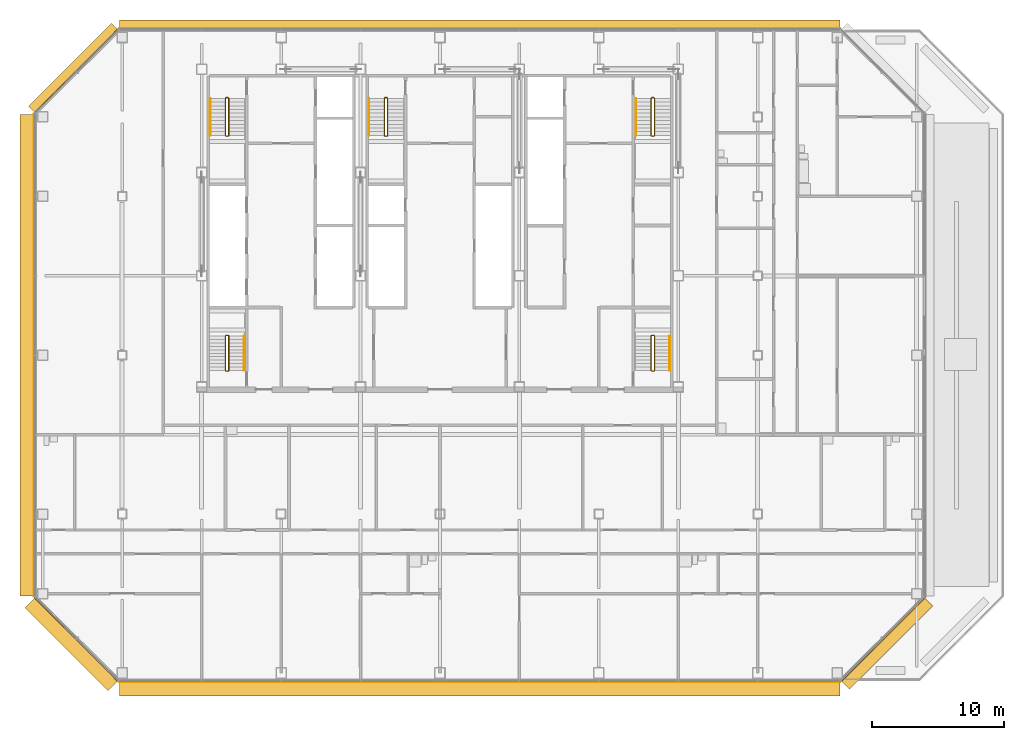
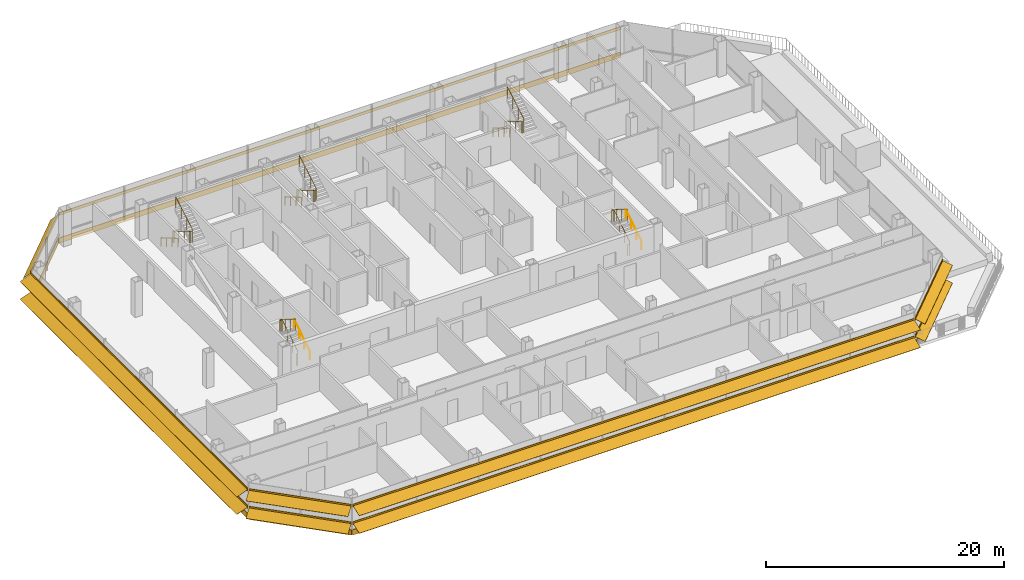
# One storey, part 25 of 28: 10 railings, 6 coverings, 6 shading devices.
"""IFC4 building model written with IfcOpenShell, lengths in metres."""

import ifcopenshell
import ifcopenshell.guid

model = None  # the IFC model being written
_history = None  # IfcOwnerHistory: only IFC2X3 demands one
_inside = {}  # id of a spatial element -> (the spatial element, [elements in it])
_under = {}  # id of a project, library or spatial element -> (it, [spatial elements below it])
_declared = {}  # id of a project -> (the project, [libraries it declares])
_typed = {}  # id of a type object -> (the type object, [elements of that type])
_made_of = {}  # id of a material, layer set ... -> (it, [elements and type objects made of it])


def new_model(schema):
    """Start an empty IFC model of exactly this schema.

    Asked for "IFC4X3", IfcOpenShell would pick the latest addendum, in which some entities
    have other attributes; the version numbers below select the first issue.
    IFC2X3 requires an IfcOwnerHistory on every rooted entity: one is made here for all.
    """
    global model, _history
    if schema == "IFC4X3":
        model = ifcopenshell.file(schema_version=(4, 3, 0, 0))
    else:
        model = ifcopenshell.file(schema=schema)
    _inside.clear()
    _under.clear()
    _declared.clear()
    _typed.clear()
    _made_of.clear()
    _history = None
    if model.schema == "IFC2X3":
        org = make("IfcOrganization", Name="unknown")
        user = make(
            "IfcPersonAndOrganization",
            ThePerson=make("IfcPerson", FamilyName="unknown"),
            TheOrganization=org,
        )
        app = make(
            "IfcApplication",
            ApplicationDeveloper=org,
            Version="unknown",
            ApplicationFullName="unknown",
            ApplicationIdentifier="unknown",
        )
        _history = make(
            "IfcOwnerHistory",
            OwningUser=user,
            OwningApplication=app,
            ChangeAction="ADDED",
            CreationDate=0,
        )
    return model


def make(cls, **values):
    """One entity of the class cls with the attributes given. An attribute that is None is left unset."""
    return model.create_entity(
        cls, **{name: value for name, value in values.items() if value is not None}
    )


def rooted(cls, **values):
    """An entity with a GlobalId (a new one), such as an element, a storey or a relation."""
    return make(cls, GlobalId=ifcopenshell.guid.new(), OwnerHistory=_history, **values)


def si_unit(unit_type, name, prefix=None):
    """IfcSIUnit, for example si_unit("LENGTHUNIT", "METRE", prefix="MILLI")."""
    return make("IfcSIUnit", UnitType=unit_type, Prefix=prefix, Name=name)


def assignment(units):
    """IfcUnitAssignment: the units of a project."""
    return None if units is None else make("IfcUnitAssignment", Units=units)


def point(xyz):
    """IfcCartesianPoint."""
    return None if xyz is None else make("IfcCartesianPoint", Coordinates=xyz)


def direction(xyz):
    """IfcDirection."""
    return None if xyz is None else make("IfcDirection", DirectionRatios=xyz)


def frame(location, z_axis=None, x_axis=None):
    """IfcAxis2Placement3D, a coordinate frame: its origin and axes. An axis left out is left unset."""
    return make(
        "IfcAxis2Placement3D",
        Location=point(location),
        Axis=direction(z_axis),
        RefDirection=direction(x_axis),
    )


def frame_2d(location, x_axis=None):
    """IfcAxis2Placement2D, a coordinate frame in the plane: its origin and x axis."""
    return make(
        "IfcAxis2Placement2D", Location=point(location), RefDirection=direction(x_axis)
    )


def origin():
    """The frame at (0, 0, 0) with its axes left unset."""
    return frame((0.0, 0.0, 0.0))


def origin_2d():
    """The frame at (0, 0) in the plane with its x axis left unset."""
    return frame_2d((0.0, 0.0))


def place(relative_to, where):
    """IfcLocalPlacement: puts the frame where relative to a parent placement (None: the world)."""
    return make(
        "IfcLocalPlacement", PlacementRelTo=relative_to, RelativePlacement=where
    )


def context(
    kind, dimensions, precision=None, world=None, true_north=None, identifier=None
):
    """IfcGeometricRepresentationContext, for example the 3D "Model" context."""
    return make(
        "IfcGeometricRepresentationContext",
        ContextIdentifier=identifier,
        ContextType=kind,
        CoordinateSpaceDimension=dimensions,
        Precision=precision,
        WorldCoordinateSystem=world,
        TrueNorth=true_north,
    )


def subcontext(parent, identifier, kind, view, scale=None):
    """IfcGeometricRepresentationSubContext, for example "Body" below "Model"."""
    return make(
        "IfcGeometricRepresentationSubContext",
        ContextIdentifier=identifier,
        ContextType=kind,
        ParentContext=parent,
        TargetScale=scale,
        TargetView=view,
    )


def project(units=None, contexts=None):
    """IfcProject with its units and contexts."""
    return rooted(
        "IfcProject",
        Name="project",
        RepresentationContexts=contexts,
        UnitsInContext=assignment(units),
    )


def spatial(cls, under=None, at=None, **own):
    """A site, building, storey or space (cls), placed at a placement, below another one or the project."""
    s = rooted(cls, ObjectPlacement=at, **own)
    if under is not None:
        _under.setdefault(under.id(), (under, []))[1].append(s)
    return s


def polyline(points):
    """IfcPolyline through the points."""
    return make("IfcPolyline", Points=[point(p) for p in points])


def profile(cls, at=None, kind="AREA", **sizes):
    """A parametric profile (cls). Its sizes go by their IFC names, for example OverallWidth=200.0."""
    return make(cls, ProfileType=kind, Position=at, **sizes)


def circle(**sizes):
    """IfcCircleProfileDef."""
    return profile("IfcCircleProfileDef", **sizes)


def outline(outer, holes=None, kind="AREA"):
    """IfcArbitraryClosedProfileDef: a profile drawn as a closed curve; with holes, ...WithVoids."""
    if holes is None:
        return make("IfcArbitraryClosedProfileDef", ProfileType=kind, OuterCurve=outer)
    return make(
        "IfcArbitraryProfileDefWithVoids",
        ProfileType=kind,
        OuterCurve=outer,
        InnerCurves=holes,
    )


def composite_profile(profiles, kind="AREA"):
    """IfcCompositeProfileDef: several profiles as one."""
    return make("IfcCompositeProfileDef", ProfileType=kind, Profiles=profiles)


def extrude(swept, where, along, depth):
    """IfcExtrudedAreaSolid: the profile swept, set in the frame where, extruded along a direction by depth."""
    return make(
        "IfcExtrudedAreaSolid",
        SweptArea=swept,
        Position=where,
        ExtrudedDirection=direction(along),
        Depth=depth,
    )


def shape(context_of_items, identifier, shape_type, items):
    """IfcShapeRepresentation: the items that make up one representation, for example the "Body"."""
    return make(
        "IfcShapeRepresentation",
        ContextOfItems=context_of_items,
        RepresentationIdentifier=identifier,
        RepresentationType=shape_type,
        Items=items,
    )


def material(Name=None, Category=None):
    """IfcMaterial."""
    return make("IfcMaterial", Name=Name, Category=Category)


def layer(
    of_material, thickness, ventilated=None, Name=None, Category=None, Priority=None
):
    """IfcMaterialLayer: one layer of a wall or slab, of a material (None: an air gap)."""
    return make(
        "IfcMaterialLayer",
        Material=of_material,
        LayerThickness=thickness,
        IsVentilated=ventilated,
        Name=Name,
        Category=Category,
        Priority=Priority,
    )


def layer_set(layers, Name=None):
    """IfcMaterialLayerSet."""
    return make("IfcMaterialLayerSet", MaterialLayers=layers, LayerSetName=Name)


def made_of(thing, what):
    """Note that an element or type object is made of a material, layer set ...; save() writes the relation."""
    if what is not None:
        _made_of.setdefault(what.id(), (what, []))[1].append(thing)
    return thing


def type_object(cls, material=None, **own):
    """A type object (cls), such as IfcWallType, which elements share."""
    return made_of(rooted(cls, **own), material)


def element(
    cls,
    number,
    at=None,
    inside=None,
    cuts=None,
    type_object=None,
    material=None,
    context=None,
    identifier="Body",
    shape_type=None,
    held_by="IfcProductDefinitionShape",
    body=None,
    shapes=None,
    **own,
):
    """One element of the class cls, such as IfcWall. Its Tag is "e" and its number.

    at: its placement. inside: the storey or other place that contains it. cuts: it is an
    opening in that element (IfcRelVoidsElement). A single representation is given by context,
    identifier, shape_type and body (its items); several are given by shapes. held_by: the class
    of the entity that holds the representations. save() writes the other relations.
    """
    e = rooted(cls, Tag="e%d" % number, ObjectPlacement=at, **own)
    if body is not None:
        shapes = [shape(context, identifier, shape_type, body)]
    if shapes is not None:
        e.Representation = make(held_by, Representations=shapes)
    if inside is not None:
        _inside.setdefault(inside.id(), (inside, []))[1].append(e)
    if cuts is not None:
        rooted(
            "IfcRelVoidsElement", RelatingBuildingElement=cuts, RelatedOpeningElement=e
        )
    if type_object is not None:
        _typed.setdefault(type_object.id(), (type_object, []))[1].append(e)
    return made_of(e, material)


def aggregate(whole, parts):
    """IfcRelAggregates: a whole, such as a stair, and the parts it consists of."""
    return rooted("IfcRelAggregates", RelatingObject=whole, RelatedObjects=parts)


def save(model, path):
    """Write the relations noted so far, then the file.

    IfcRelAggregates (storeys below a building ...), IfcRelContainedInSpatialStructure (elements
    in a storey), IfcRelDefinesByType, IfcRelAssociatesMaterial and IfcRelDeclares: one each for
    every whole, place, type object, material and project.
    """
    for whole, parts in _under.values():
        aggregate(whole, parts)
    for where, things in _inside.values():
        rooted(
            "IfcRelContainedInSpatialStructure",
            RelatedElements=things,
            RelatingStructure=where,
        )
    for kind, things in _typed.values():
        rooted("IfcRelDefinesByType", RelatedObjects=things, RelatingType=kind)
    for what, things in _made_of.values():
        rooted("IfcRelAssociatesMaterial", RelatedObjects=things, RelatingMaterial=what)
    for by, libraries in _declared.values():
        rooted("IfcRelDeclares", RelatingContext=by, RelatedDefinitions=libraries)
    model.write(path)


model = new_model("IFC4")

# Units and contexts
model_context = context("Model", 3, precision=1e-05, world=origin(), true_north=direction((0.0, 1.0)))
body_context = subcontext(model_context, "Body", "Model", "MODEL_VIEW")
ifc_project = project(units=[si_unit("LENGTHUNIT", "METRE"), si_unit("AREAUNIT", "SQUARE_METRE"), si_unit("VOLUMEUNIT", "CUBIC_METRE"), si_unit("PLANEANGLEUNIT", "RADIAN"), si_unit("MASSUNIT", "GRAM", prefix="KILO")], contexts=[model_context])

# Site, building, storey
site_placement = place(None, origin())
site = spatial("IfcSite", under=ifc_project, at=site_placement, CompositionType="ELEMENT")
building_placement = place(site_placement, origin())
building = spatial("IfcBuilding", under=site, at=building_placement, Name="Sorahane Residences", CompositionType="ELEMENT")
storey_placement = place(building_placement, frame((0.0, 0.0, 96.199951171875)))
storey = spatial("IfcBuildingStorey", under=building, at=storey_placement, Name="L20", CompositionType="ELEMENT", Elevation=96.199951171875)

# Shading devices
ifc_material_1 = material(Name="Terracotta anodised aluminium", Category="masonry")
shading_device_type_1 = type_object("IfcShadingDeviceType", Name="Louvre sunshade blade N terracotta aluminium 700", PredefinedType="JALOUSIE", material=ifc_material_1)
shading_device_1_placement = place(storey_placement, frame((54.198486328125, 48.60009765625, 2.699951171875), z_axis=(-1.0, 0.0, 0.0), x_axis=(0.0, -1.0, 0.0)))
element("IfcShadingDevice", 1, at=shading_device_1_placement, inside=storey, type_object=shading_device_type_1, Name="Louvre sunshade blade bank N L20 N1", PredefinedType="JALOUSIE", context=body_context, shape_type="SweptSolid", body=[
    extrude(outline(polyline([(-0.719970703125, -0.660888671875), (-0.719970703125, -0.69091796875), (-0.080078125, -0.072998046875), (-0.080078125, -0.14990234375), (-0.02001953125, -0.14990234375), (-0.02001953125, -0.014892578125), (-0.02001953125, 0.014892578125), (-0.02001953125, 0.14990234375), (-0.080078125, 0.14990234375), (-0.080078125, -0.04296875), (-0.719970703125, -0.660888671875)])), origin(), (0.0, 0.0, 1.0), 54.39697265625),
])
ifc_material_2 = material(Name="Terracotta anodised aluminium", Category="masonry")
shading_device_type_2 = type_object("IfcShadingDeviceType", Name="Louvre sunshade blade NW terracotta aluminium 700", PredefinedType="JALOUSIE", material=ifc_material_2)
shading_device_2_placement = place(storey_placement, frame((-0.283935546875, 48.564697265625, 2.699951171875), z_axis=(-0.707106781187, -0.707106781187, 0.0), x_axis=(0.707106781187, -0.707106781187, 0.0)))
element("IfcShadingDevice", 2, at=shading_device_2_placement, inside=storey, type_object=shading_device_type_2, Name="Louvre sunshade blade bank NW L20 NW1", PredefinedType="JALOUSIE", context=body_context, shape_type="SweptSolid", body=[
    extrude(outline(polyline([(-0.719970703125, -0.660888671875), (-0.719970703125, -0.69091796875), (-0.080078125, -0.072998046875), (-0.080078125, -0.14990234375), (-0.02001953125, -0.14990234375), (-0.02001953125, -0.014892578125), (-0.02001953125, 0.014892578125), (-0.02001953125, 0.14990234375), (-0.080078125, 0.14990234375), (-0.080078125, -0.04296875), (-0.719970703125, -0.660888671875)])), origin(), (0.0, 0.0, 1.0), 8.88232421875),
])
ifc_material_3 = material(Name="Terracotta anodised aluminium", Category="masonry")
shading_device_type_3 = type_object("IfcShadingDeviceType", Name="Louvre sunshade blade S terracotta aluminium 1100", PredefinedType="JALOUSIE", material=ifc_material_3)
shading_device_3_placement = place(storey_placement, frame((-0.198486328125, -0.60009765625, 0.900146484375), z_axis=(1.0, 0.0, 0.0), x_axis=(0.0, 1.0, 0.0)))
element("IfcShadingDevice", 3, at=shading_device_3_placement, inside=storey, type_object=shading_device_type_3, Name="Louvre sunshade blade bank S L20 S1", PredefinedType="JALOUSIE", context=body_context, shape_type="SweptSolid", body=[
    extrude(composite_profile([outline(polyline([(-1.1201171875, -0.385498046875), (-1.1201171875, -0.415283203125), (-0.080078125, -0.036865234375), (-0.080078125, -0.14990234375), (-0.02001953125, -0.14990234375), (-0.02001953125, -0.014892578125), (-0.02001953125, 0.014892578125), (-0.02001953125, 0.14990234375), (-0.080078125, 0.14990234375), (-0.080078125, -0.0068359375), (-1.1201171875, -0.385498046875)])), outline(polyline([(-1.1201171875, 1.41455078125), (-1.1201171875, 1.384521484375), (-0.080078125, 1.76318359375), (-0.080078125, 1.64990234375), (-0.02001953125, 1.64990234375), (-0.02001953125, 1.784912109375), (-0.02001953125, 1.81494140625), (-0.02001953125, 1.949951171875), (-0.080078125, 1.949951171875), (-0.080078125, 1.793212890625), (-1.1201171875, 1.41455078125)]))]), origin(), (0.0, 0.0, 1.0), 54.39697265625),
])
ifc_material_4 = material(Name="Terracotta anodised aluminium", Category="masonry")
shading_device_type_4 = type_object("IfcShadingDeviceType", Name="Louvre sunshade blade SE terracotta aluminium 900", PredefinedType="JALOUSIE", material=ifc_material_4)
shading_device_4_placement = place(storey_placement, frame((54.283935546875, -0.564697265625, 0.900146484375), z_axis=(0.707106781187, 0.707106781187, 0.0), x_axis=(-0.707106781187, 0.707106781187, 0.0)))
element("IfcShadingDevice", 4, at=shading_device_4_placement, inside=storey, type_object=shading_device_type_4, Name="Louvre sunshade blade bank SE L20 SE1", PredefinedType="JALOUSIE", context=body_context, shape_type="SweptSolid", body=[
    extrude(composite_profile([outline(polyline([(-0.919921875, -0.3486328125), (-0.919921875, -0.378662109375), (-0.080078125, -0.039306640625), (-0.080078125, -0.14990234375), (-0.02001953125, -0.14990234375), (-0.02001953125, -0.014892578125), (-0.02001953125, 0.014892578125), (-0.02001953125, 0.14990234375), (-0.080078125, 0.14990234375), (-0.080078125, -0.00927734375), (-0.919921875, -0.3486328125)])), outline(polyline([(-0.919921875, 1.451416015625), (-0.919921875, 1.42138671875), (-0.080078125, 1.7607421875), (-0.080078125, 1.64990234375), (-0.02001953125, 1.64990234375), (-0.02001953125, 1.784912109375), (-0.02001953125, 1.81494140625), (-0.02001953125, 1.949951171875), (-0.080078125, 1.949951171875), (-0.080078125, 1.790771484375), (-0.919921875, 1.451416015625)]))]), origin(), (0.0, 0.0, 1.0), 8.88232421875),
])
ifc_material_5 = material(Name="Terracotta anodised aluminium", Category="masonry")
shading_device_type_5 = type_object("IfcShadingDeviceType", Name="Louvre sunshade blade SW terracotta aluminium 1100", PredefinedType="JALOUSIE", material=ifc_material_5)
shading_device_5_placement = place(storey_placement, frame((-6.564697265625, 5.716064453125, 0.900146484375), z_axis=(0.707106781187, -0.707106781187, 0.0), x_axis=(0.707106781187, 0.707106781187, 0.0)))
element("IfcShadingDevice", 5, at=shading_device_5_placement, inside=storey, type_object=shading_device_type_5, Name="Louvre sunshade blade bank SW L20 SW1", PredefinedType="JALOUSIE", context=body_context, shape_type="SweptSolid", body=[
    extrude(composite_profile([outline(polyline([(-1.1201171875, -0.385498046875), (-1.1201171875, -0.415283203125), (-0.080078125, -0.036865234375), (-0.080078125, -0.14990234375), (-0.02001953125, -0.14990234375), (-0.02001953125, -0.014892578125), (-0.02001953125, 0.014892578125), (-0.02001953125, 0.14990234375), (-0.080078125, 0.14990234375), (-0.080078125, -0.0068359375), (-1.1201171875, -0.385498046875)])), outline(polyline([(-1.1201171875, 1.41455078125), (-1.1201171875, 1.384521484375), (-0.080078125, 1.76318359375), (-0.080078125, 1.64990234375), (-0.02001953125, 1.64990234375), (-0.02001953125, 1.784912109375), (-0.02001953125, 1.81494140625), (-0.02001953125, 1.949951171875), (-0.080078125, 1.949951171875), (-0.080078125, 1.793212890625), (-1.1201171875, 1.41455078125)]))]), origin(), (0.0, 0.0, 1.0), 8.88232421875),
])
ifc_material_6 = material(Name="Terracotta anodised aluminium", Category="masonry")
shading_device_type_6 = type_object("IfcShadingDeviceType", Name="Louvre sunshade blade W terracotta aluminium 1100", PredefinedType="JALOUSIE", material=ifc_material_6)
shading_device_6_placement = place(storey_placement, frame((-6.60009765625, 42.198486328125, 0.900146484375), z_axis=(0.0, -1.0, 0.0), x_axis=(1.0, 0.0, 0.0)))
element("IfcShadingDevice", 6, at=shading_device_6_placement, inside=storey, type_object=shading_device_type_6, Name="Louvre sunshade blade bank W L20 W1", PredefinedType="JALOUSIE", context=body_context, shape_type="SweptSolid", body=[
    extrude(composite_profile([outline(polyline([(-1.1201171875, -0.385498046875), (-1.1201171875, -0.415283203125), (-0.080078125, -0.036865234375), (-0.080078125, -0.14990234375), (-0.02001953125, -0.14990234375), (-0.02001953125, -0.014892578125), (-0.02001953125, 0.014892578125), (-0.02001953125, 0.14990234375), (-0.080078125, 0.14990234375), (-0.080078125, -0.0068359375), (-1.1201171875, -0.385498046875)])), outline(polyline([(-1.1201171875, 1.41455078125), (-1.1201171875, 1.384521484375), (-0.080078125, 1.76318359375), (-0.080078125, 1.64990234375), (-0.02001953125, 1.64990234375), (-0.02001953125, 1.784912109375), (-0.02001953125, 1.81494140625), (-0.02001953125, 1.949951171875), (-0.080078125, 1.949951171875), (-0.080078125, 1.793212890625), (-1.1201171875, 1.41455078125)]))]), origin(), (0.0, 0.0, 1.0), 36.39697265625),
])

# Coverings
ifc_material_7 = material(Name="Pale precast concrete cladding", Category="concrete")
ifc_layer = layer(ifc_material_7, 0.06005859375)
ifc_layer_set = layer_set([ifc_layer], Name="Slab edge fascia band pale precast concrete 550")
covering_type = type_object("IfcCoveringType", Name="Slab edge fascia band pale precast concrete 550", PredefinedType="CLADDING", material=ifc_layer_set)
covering_1_placement = place(storey_placement, frame((-0.228515625, -0.60009765625, -0.02490234375), z_axis=(1.0, 0.0, 0.0), x_axis=(0.0, 1.0, 0.0)))
element("IfcCovering", 7, at=covering_1_placement, inside=storey, type_object=covering_type, Name="Slab edge fascia pale L20 S1", PredefinedType="CLADDING", context=body_context, shape_type="SweptSolid", body=[
    extrude(outline(polyline([(-0.02001953125, 0.27490234375), (-0.080078125, 0.27490234375), (-0.080078125, -0.27490234375), (-0.02001953125, -0.27490234375), (-0.02001953125, 0.27490234375)])), origin(), (0.0, 0.0, 1.0), 54.45703125),
])
covering_2_placement = place(storey_placement, frame((54.2626953125, -0.5859375, -0.02490234375), z_axis=(0.707106781187, 0.707106781187, 0.0), x_axis=(-0.707106781187, 0.707106781187, 0.0)))
element("IfcCovering", 8, at=covering_2_placement, inside=storey, type_object=covering_type, Name="Slab edge fascia pale L20 SE1", PredefinedType="CLADDING", context=body_context, shape_type="SweptSolid", body=[
    extrude(outline(polyline([(-0.02001953125, 0.27490234375), (-0.080078125, 0.27490234375), (-0.080078125, -0.27490234375), (-0.02001953125, -0.27490234375), (-0.02001953125, 0.27490234375)])), origin(), (0.0, 0.0, 1.0), 8.9423828125),
])
covering_3_placement = place(storey_placement, frame((54.228515625, 48.60009765625, -0.02490234375), z_axis=(-1.0, 0.0, 0.0), x_axis=(0.0, -1.0, 0.0)))
element("IfcCovering", 9, at=covering_3_placement, inside=storey, type_object=covering_type, Name="Slab edge fascia pale L20 N1", PredefinedType="CLADDING", context=body_context, shape_type="SweptSolid", body=[
    extrude(outline(polyline([(-0.02001953125, 0.27490234375), (-0.080078125, 0.27490234375), (-0.080078125, -0.27490234375), (-0.02001953125, -0.27490234375), (-0.02001953125, 0.27490234375)])), origin(), (0.0, 0.0, 1.0), 54.45703125),
])
covering_4_placement = place(storey_placement, frame((-0.2626953125, 48.5859375, -0.02490234375), z_axis=(-0.707106781187, -0.707106781187, 0.0), x_axis=(0.707106781187, -0.707106781187, 0.0)))
element("IfcCovering", 10, at=covering_4_placement, inside=storey, type_object=covering_type, Name="Slab edge fascia pale L20 NW1", PredefinedType="CLADDING", context=body_context, shape_type="SweptSolid", body=[
    extrude(outline(polyline([(-0.02001953125, 0.27490234375), (-0.080078125, 0.27490234375), (-0.080078125, -0.27490234375), (-0.02001953125, -0.27490234375), (-0.02001953125, 0.27490234375)])), origin(), (0.0, 0.0, 1.0), 8.9423828125),
])
covering_5_placement = place(storey_placement, frame((-6.60009765625, 42.228515625, -0.02490234375), z_axis=(0.0, -1.0, 0.0), x_axis=(1.0, 0.0, 0.0)))
element("IfcCovering", 11, at=covering_5_placement, inside=storey, type_object=covering_type, Name="Slab edge fascia pale L20 W1", PredefinedType="CLADDING", context=body_context, shape_type="SweptSolid", body=[
    extrude(outline(polyline([(-0.02001953125, 0.27490234375), (-0.080078125, 0.27490234375), (-0.080078125, -0.27490234375), (-0.02001953125, -0.27490234375), (-0.02001953125, 0.27490234375)])), origin(), (0.0, 0.0, 1.0), 36.45703125),
])
covering_6_placement = place(storey_placement, frame((-6.5859375, 5.7373046875, -0.02490234375), z_axis=(0.707106781187, -0.707106781187, 0.0), x_axis=(0.707106781187, 0.707106781187, 0.0)))
element("IfcCovering", 12, at=covering_6_placement, inside=storey, type_object=covering_type, Name="Slab edge fascia pale L20 SW1", PredefinedType="CLADDING", context=body_context, shape_type="SweptSolid", body=[
    extrude(outline(polyline([(-0.02001953125, 0.27490234375), (-0.080078125, 0.27490234375), (-0.080078125, -0.27490234375), (-0.02001953125, -0.27490234375), (-0.02001953125, 0.27490234375)])), origin(), (0.0, 0.0, 1.0), 8.9423828125),
])

# Railings
ifc_material_8 = material(Name="Steel Q355B", Category="steel")
railing_type_1 = type_object("IfcRailingType", Name="Stair guard 1200 Steel Q355B", PredefinedType="GUARDRAIL", material=ifc_material_8)
railing_1_placement = place(storey_placement, frame((8.0, 43.449951171875, 0.0)))
element("IfcRailing", 13, at=railing_1_placement, inside=storey, type_object=railing_type_1, Name="L20 S1 stair guard 1", PredefinedType="GUARDRAIL", context=body_context, shape_type="SweptSolid", body=[
    extrude(circle(Radius=0.02392578125, at=origin_2d()), frame((0.0, 0.0, 1.17578125), z_axis=(-1.0, 0.0, 0.0), x_axis=(0.0, -1.0, 0.0)), (0.0, 0.0, 1.0), 0.14990234375),
    extrude(circle(Radius=0.02392578125, at=origin_2d()), frame((-0.14990234375, 0.0, 1.17578125), z_axis=(-0.280808744504, -0.280808744504, 0.917765164963), x_axis=(0.707106781187, -0.707106781187, 0.0)), (0.0, 0.0, 1.0), 0.17822265625),
    extrude(circle(Radius=0.02392578125, at=origin_2d()), frame((-0.199951171875, -0.050048828125, 1.33935546875), z_axis=(0.0, -0.863341702679, 0.504619762213), x_axis=(1.0, 0.0, 0.0)), (0.0, 0.0, 1.0), 3.242919921875),
    extrude(circle(Radius=0.02392578125, at=origin_2d()), frame((-0.199951171875, -2.849853515625, 2.97607421875), z_axis=(0.707106781187, -0.707106781187, 0.0), x_axis=(0.707106781187, 0.707106781187, 0.0)), (0.0, 0.0, 1.0), 0.07080078125),
    extrude(circle(Radius=0.02392578125, at=origin_2d()), frame((-0.14990234375, -2.89990234375, 2.97607421875), z_axis=(1.0, 0.0, 0.0), x_axis=(0.0, 1.0, 0.0)), (0.0, 0.0, 1.0), 0.14990234375),
    extrude(circle(Radius=0.02392578125, at=origin_2d()), frame((0.0, -2.89990234375, 2.97607421875), z_axis=(0.280808744504, 0.280808744504, 0.917765164963), x_axis=(-0.707106781187, 0.707106781187, 0.0)), (0.0, 0.0, 1.0), 0.17822265625),
    extrude(circle(Radius=0.02392578125, at=origin_2d()), frame((0.050048828125, -2.849853515625, 3.1396484375), z_axis=(0.0, 0.863341702679, 0.504619762213), x_axis=(-1.0, 0.0, 0.0)), (0.0, 0.0, 1.0), 3.242919921875),
    extrude(circle(Radius=0.02099609375, at=origin_2d()), origin(), (0.0, 0.0, 1.0), 1.15185546875),
    extrude(circle(Radius=0.02099609375, at=origin_2d()), frame((-0.14990234375, 0.0, 0.0)), (0.0, 0.0, 1.0), 1.15185546875),
    extrude(circle(Radius=0.02099609375, at=origin_2d()), frame((-0.199951171875, -0.050048828125, 0.16357421875)), (0.0, 0.0, 1.0), 1.15185546875),
    extrude(circle(Radius=0.02099609375, at=origin_2d()), frame((-0.199951171875, -0.9833984375, 0.708984375)), (0.0, 0.0, 1.0), 1.15185546875),
    extrude(circle(Radius=0.02099609375, at=origin_2d()), frame((-0.199951171875, -1.91650390625, 1.254638671875)), (0.0, 0.0, 1.0), 1.15185546875),
    extrude(circle(Radius=0.02099609375, at=origin_2d()), frame((-0.199951171875, -2.849853515625, 1.800048828125)), (0.0, 0.0, 1.0), 1.15185546875),
    extrude(circle(Radius=0.02099609375, at=origin_2d()), frame((-0.14990234375, -2.89990234375, 1.800048828125)), (0.0, 0.0, 1.0), 1.15185546875),
    extrude(circle(Radius=0.02099609375, at=origin_2d()), frame((0.0, -2.89990234375, 1.800048828125)), (0.0, 0.0, 1.0), 1.15185546875),
    extrude(circle(Radius=0.02099609375, at=origin_2d()), frame((0.050048828125, -2.849853515625, 1.963623046875)), (0.0, 0.0, 1.0), 1.15185546875),
    extrude(circle(Radius=0.02099609375, at=origin_2d()), frame((0.050048828125, -1.91650390625, 2.509033203125)), (0.0, 0.0, 1.0), 1.15185546875),
    extrude(circle(Radius=0.02099609375, at=origin_2d()), frame((0.050048828125, -0.9833984375, 3.0546875)), (0.0, 0.0, 1.0), 1.15185546875),
    extrude(circle(Radius=0.02099609375, at=origin_2d()), frame((0.050048828125, -0.050048828125, 3.60009765625)), (0.0, 0.0, 1.0), 1.15185546875),
])
railing_2_placement = place(storey_placement, frame((40.14990234375, 43.449951171875, 0.0)))
element("IfcRailing", 14, at=railing_2_placement, inside=storey, type_object=railing_type_1, Name="L20 S2 stair guard 1", PredefinedType="GUARDRAIL", context=body_context, shape_type="SweptSolid", body=[
    extrude(circle(Radius=0.02392578125, at=origin_2d()), frame((0.0, 0.0, 1.17578125), z_axis=(-1.0, 0.0, 0.0), x_axis=(0.0, -1.0, 0.0)), (0.0, 0.0, 1.0), 0.14990234375),
    extrude(circle(Radius=0.02392578125, at=origin_2d()), frame((-0.14990234375, 0.0, 1.17578125), z_axis=(-0.280808744504, -0.280808744504, 0.917765164963), x_axis=(0.707106781187, -0.707106781187, 0.0)), (0.0, 0.0, 1.0), 0.17822265625),
    extrude(circle(Radius=0.02392578125, at=origin_2d()), frame((-0.199951171875, -0.050048828125, 1.33935546875), z_axis=(0.0, -0.863341702679, 0.504619762213), x_axis=(1.0, 0.0, 0.0)), (0.0, 0.0, 1.0), 3.242919921875),
    extrude(circle(Radius=0.02392578125, at=origin_2d()), frame((-0.199951171875, -2.849853515625, 2.97607421875), z_axis=(0.707106781187, -0.707106781187, 0.0), x_axis=(0.707106781187, 0.707106781187, 0.0)), (0.0, 0.0, 1.0), 0.07080078125),
    extrude(circle(Radius=0.02392578125, at=origin_2d()), frame((-0.14990234375, -2.89990234375, 2.97607421875), z_axis=(1.0, 0.0, 0.0), x_axis=(0.0, 1.0, 0.0)), (0.0, 0.0, 1.0), 0.14990234375),
    extrude(circle(Radius=0.02392578125, at=origin_2d()), frame((0.0, -2.89990234375, 2.97607421875), z_axis=(0.280808744504, 0.280808744504, 0.917765164963), x_axis=(-0.707106781187, 0.707106781187, 0.0)), (0.0, 0.0, 1.0), 0.17822265625),
    extrude(circle(Radius=0.02392578125, at=origin_2d()), frame((0.050048828125, -2.849853515625, 3.1396484375), z_axis=(0.0, 0.863341702679, 0.504619762213), x_axis=(-1.0, 0.0, 0.0)), (0.0, 0.0, 1.0), 3.242919921875),
    extrude(circle(Radius=0.02099609375, at=origin_2d()), origin(), (0.0, 0.0, 1.0), 1.15185546875),
    extrude(circle(Radius=0.02099609375, at=origin_2d()), frame((-0.14990234375, 0.0, 0.0)), (0.0, 0.0, 1.0), 1.15185546875),
    extrude(circle(Radius=0.02099609375, at=origin_2d()), frame((-0.199951171875, -0.050048828125, 0.16357421875)), (0.0, 0.0, 1.0), 1.15185546875),
    extrude(circle(Radius=0.02099609375, at=origin_2d()), frame((-0.199951171875, -0.9833984375, 0.708984375)), (0.0, 0.0, 1.0), 1.15185546875),
    extrude(circle(Radius=0.02099609375, at=origin_2d()), frame((-0.199951171875, -1.91650390625, 1.254638671875)), (0.0, 0.0, 1.0), 1.15185546875),
    extrude(circle(Radius=0.02099609375, at=origin_2d()), frame((-0.199951171875, -2.849853515625, 1.800048828125)), (0.0, 0.0, 1.0), 1.15185546875),
    extrude(circle(Radius=0.02099609375, at=origin_2d()), frame((-0.14990234375, -2.89990234375, 1.800048828125)), (0.0, 0.0, 1.0), 1.15185546875),
    extrude(circle(Radius=0.02099609375, at=origin_2d()), frame((0.0, -2.89990234375, 1.800048828125)), (0.0, 0.0, 1.0), 1.15185546875),
    extrude(circle(Radius=0.02099609375, at=origin_2d()), frame((0.050048828125, -2.849853515625, 1.963623046875)), (0.0, 0.0, 1.0), 1.15185546875),
    extrude(circle(Radius=0.02099609375, at=origin_2d()), frame((0.050048828125, -1.91650390625, 2.509033203125)), (0.0, 0.0, 1.0), 1.15185546875),
    extrude(circle(Radius=0.02099609375, at=origin_2d()), frame((0.050048828125, -0.9833984375, 3.0546875)), (0.0, 0.0, 1.0), 1.15185546875),
    extrude(circle(Radius=0.02099609375, at=origin_2d()), frame((0.050048828125, -0.050048828125, 3.60009765625)), (0.0, 0.0, 1.0), 1.15185546875),
])
railing_3_placement = place(storey_placement, frame((20.0, 43.449951171875, 0.0)))
element("IfcRailing", 15, at=railing_3_placement, inside=storey, type_object=railing_type_1, Name="L20 S3 stair guard 1", PredefinedType="GUARDRAIL", context=body_context, shape_type="SweptSolid", body=[
    extrude(circle(Radius=0.02392578125, at=origin_2d()), frame((0.0, 0.0, 1.17578125), z_axis=(-1.0, 0.0, 0.0), x_axis=(0.0, -1.0, 0.0)), (0.0, 0.0, 1.0), 0.14990234375),
    extrude(circle(Radius=0.02392578125, at=origin_2d()), frame((-0.14990234375, 0.0, 1.17578125), z_axis=(-0.280808744504, -0.280808744504, 0.917765164963), x_axis=(0.707106781187, -0.707106781187, 0.0)), (0.0, 0.0, 1.0), 0.17822265625),
    extrude(circle(Radius=0.02392578125, at=origin_2d()), frame((-0.199951171875, -0.050048828125, 1.33935546875), z_axis=(0.0, -0.863341702679, 0.504619762213), x_axis=(1.0, 0.0, 0.0)), (0.0, 0.0, 1.0), 3.242919921875),
    extrude(circle(Radius=0.02392578125, at=origin_2d()), frame((-0.199951171875, -2.849853515625, 2.97607421875), z_axis=(0.707106781187, -0.707106781187, 0.0), x_axis=(0.707106781187, 0.707106781187, 0.0)), (0.0, 0.0, 1.0), 0.07080078125),
    extrude(circle(Radius=0.02392578125, at=origin_2d()), frame((-0.14990234375, -2.89990234375, 2.97607421875), z_axis=(1.0, 0.0, 0.0), x_axis=(0.0, 1.0, 0.0)), (0.0, 0.0, 1.0), 0.14990234375),
    extrude(circle(Radius=0.02392578125, at=origin_2d()), frame((0.0, -2.89990234375, 2.97607421875), z_axis=(0.280808744504, 0.280808744504, 0.917765164963), x_axis=(-0.707106781187, 0.707106781187, 0.0)), (0.0, 0.0, 1.0), 0.17822265625),
    extrude(circle(Radius=0.02392578125, at=origin_2d()), frame((0.050048828125, -2.849853515625, 3.1396484375), z_axis=(0.0, 0.863341702679, 0.504619762213), x_axis=(-1.0, 0.0, 0.0)), (0.0, 0.0, 1.0), 3.242919921875),
    extrude(circle(Radius=0.02099609375, at=origin_2d()), origin(), (0.0, 0.0, 1.0), 1.15185546875),
    extrude(circle(Radius=0.02099609375, at=origin_2d()), frame((-0.14990234375, 0.0, 0.0)), (0.0, 0.0, 1.0), 1.15185546875),
    extrude(circle(Radius=0.02099609375, at=origin_2d()), frame((-0.199951171875, -0.050048828125, 0.16357421875)), (0.0, 0.0, 1.0), 1.15185546875),
    extrude(circle(Radius=0.02099609375, at=origin_2d()), frame((-0.199951171875, -0.9833984375, 0.708984375)), (0.0, 0.0, 1.0), 1.15185546875),
    extrude(circle(Radius=0.02099609375, at=origin_2d()), frame((-0.199951171875, -1.91650390625, 1.254638671875)), (0.0, 0.0, 1.0), 1.15185546875),
    extrude(circle(Radius=0.02099609375, at=origin_2d()), frame((-0.199951171875, -2.849853515625, 1.800048828125)), (0.0, 0.0, 1.0), 1.15185546875),
    extrude(circle(Radius=0.02099609375, at=origin_2d()), frame((-0.14990234375, -2.89990234375, 1.800048828125)), (0.0, 0.0, 1.0), 1.15185546875),
    extrude(circle(Radius=0.02099609375, at=origin_2d()), frame((0.0, -2.89990234375, 1.800048828125)), (0.0, 0.0, 1.0), 1.15185546875),
    extrude(circle(Radius=0.02099609375, at=origin_2d()), frame((0.050048828125, -2.849853515625, 1.963623046875)), (0.0, 0.0, 1.0), 1.15185546875),
    extrude(circle(Radius=0.02099609375, at=origin_2d()), frame((0.050048828125, -1.91650390625, 2.509033203125)), (0.0, 0.0, 1.0), 1.15185546875),
    extrude(circle(Radius=0.02099609375, at=origin_2d()), frame((0.050048828125, -0.9833984375, 3.0546875)), (0.0, 0.0, 1.0), 1.15185546875),
    extrude(circle(Radius=0.02099609375, at=origin_2d()), frame((0.050048828125, -0.050048828125, 3.60009765625)), (0.0, 0.0, 1.0), 1.15185546875),
])
railing_4_placement = place(storey_placement, frame((7.85009765625, 22.800048828125, 0.0)))
element("IfcRailing", 16, at=railing_4_placement, inside=storey, type_object=railing_type_1, Name="L20 S4 stair guard 1", PredefinedType="GUARDRAIL", context=body_context, shape_type="SweptSolid", body=[
    extrude(circle(Radius=0.02392578125, at=origin_2d()), frame((0.0, 0.0, 1.17578125), z_axis=(1.0, 0.0, 0.0), x_axis=(0.0, 1.0, 0.0)), (0.0, 0.0, 1.0), 0.14990234375),
    extrude(circle(Radius=0.02392578125, at=origin_2d()), frame((0.14990234375, 0.0, 1.17578125), z_axis=(0.280808744504, 0.280808744504, 0.917765164963), x_axis=(-0.707106781187, 0.707106781187, 0.0)), (0.0, 0.0, 1.0), 0.17822265625),
    extrude(circle(Radius=0.02392578125, at=origin_2d()), frame((0.199951171875, 0.050048828125, 1.33935546875), z_axis=(0.0, 0.846301844409, 0.532703658848), x_axis=(-1.0, 0.0, 0.0)), (0.0, 0.0, 1.0), 3.072021484375),
    extrude(circle(Radius=0.02392578125, at=origin_2d()), frame((0.199951171875, 2.64990234375, 2.97607421875), z_axis=(-0.707106781187, 0.707106781187, 0.0), x_axis=(-0.707106781187, -0.707106781187, 0.0)), (0.0, 0.0, 1.0), 0.07080078125),
    extrude(circle(Radius=0.02392578125, at=origin_2d()), frame((0.14990234375, 2.699951171875, 2.97607421875), z_axis=(-1.0, 0.0, 0.0), x_axis=(0.0, -1.0, 0.0)), (0.0, 0.0, 1.0), 0.14990234375),
    extrude(circle(Radius=0.02392578125, at=origin_2d()), frame((0.0, 2.699951171875, 2.97607421875), z_axis=(-0.280808744504, -0.280808744504, 0.917765164963), x_axis=(0.707106781187, -0.707106781187, 0.0)), (0.0, 0.0, 1.0), 0.17822265625),
    extrude(circle(Radius=0.02392578125, at=origin_2d()), frame((-0.050048828125, 2.64990234375, 3.1396484375), z_axis=(0.0, -0.846301844409, 0.532703658848), x_axis=(1.0, 0.0, 0.0)), (0.0, 0.0, 1.0), 3.072021484375),
    extrude(circle(Radius=0.02099609375, at=origin_2d()), origin(), (0.0, 0.0, 1.0), 1.15185546875),
    extrude(circle(Radius=0.02099609375, at=origin_2d()), frame((0.14990234375, 0.0, 0.0)), (0.0, 0.0, 1.0), 1.15185546875),
    extrude(circle(Radius=0.02099609375, at=origin_2d()), frame((0.199951171875, 0.050048828125, 0.16357421875)), (0.0, 0.0, 1.0), 1.15185546875),
    extrude(circle(Radius=0.02099609375, at=origin_2d()), frame((0.199951171875, 0.916748046875, 0.708984375)), (0.0, 0.0, 1.0), 1.15185546875),
    extrude(circle(Radius=0.02099609375, at=origin_2d()), frame((0.199951171875, 1.783203125, 1.254638671875)), (0.0, 0.0, 1.0), 1.15185546875),
    extrude(circle(Radius=0.02099609375, at=origin_2d()), frame((0.199951171875, 2.64990234375, 1.800048828125)), (0.0, 0.0, 1.0), 1.15185546875),
    extrude(circle(Radius=0.02099609375, at=origin_2d()), frame((0.14990234375, 2.699951171875, 1.800048828125)), (0.0, 0.0, 1.0), 1.15185546875),
    extrude(circle(Radius=0.02099609375, at=origin_2d()), frame((0.0, 2.699951171875, 1.800048828125)), (0.0, 0.0, 1.0), 1.15185546875),
    extrude(circle(Radius=0.02099609375, at=origin_2d()), frame((-0.050048828125, 2.64990234375, 1.963623046875)), (0.0, 0.0, 1.0), 1.15185546875),
    extrude(circle(Radius=0.02099609375, at=origin_2d()), frame((-0.050048828125, 1.783203125, 2.509033203125)), (0.0, 0.0, 1.0), 1.15185546875),
    extrude(circle(Radius=0.02099609375, at=origin_2d()), frame((-0.050048828125, 0.916748046875, 3.0546875)), (0.0, 0.0, 1.0), 1.15185546875),
    extrude(circle(Radius=0.02099609375, at=origin_2d()), frame((-0.050048828125, 0.050048828125, 3.60009765625)), (0.0, 0.0, 1.0), 1.15185546875),
])
railing_5_placement = place(storey_placement, frame((40.0, 22.800048828125, 0.0)))
element("IfcRailing", 17, at=railing_5_placement, inside=storey, type_object=railing_type_1, Name="L20 S5 stair guard 1", PredefinedType="GUARDRAIL", context=body_context, shape_type="SweptSolid", body=[
    extrude(circle(Radius=0.02392578125, at=origin_2d()), frame((0.0, 0.0, 1.17578125), z_axis=(1.0, 0.0, 0.0), x_axis=(0.0, 1.0, 0.0)), (0.0, 0.0, 1.0), 0.14990234375),
    extrude(circle(Radius=0.02392578125, at=origin_2d()), frame((0.14990234375, 0.0, 1.17578125), z_axis=(0.280808744504, 0.280808744504, 0.917765164963), x_axis=(-0.707106781187, 0.707106781187, 0.0)), (0.0, 0.0, 1.0), 0.17822265625),
    extrude(circle(Radius=0.02392578125, at=origin_2d()), frame((0.199951171875, 0.050048828125, 1.33935546875), z_axis=(0.0, 0.846301844409, 0.532703658848), x_axis=(-1.0, 0.0, 0.0)), (0.0, 0.0, 1.0), 3.072021484375),
    extrude(circle(Radius=0.02392578125, at=origin_2d()), frame((0.199951171875, 2.64990234375, 2.97607421875), z_axis=(-0.707106781187, 0.707106781187, 0.0), x_axis=(-0.707106781187, -0.707106781187, 0.0)), (0.0, 0.0, 1.0), 0.07080078125),
    extrude(circle(Radius=0.02392578125, at=origin_2d()), frame((0.14990234375, 2.699951171875, 2.97607421875), z_axis=(-1.0, 0.0, 0.0), x_axis=(0.0, -1.0, 0.0)), (0.0, 0.0, 1.0), 0.14990234375),
    extrude(circle(Radius=0.02392578125, at=origin_2d()), frame((0.0, 2.699951171875, 2.97607421875), z_axis=(-0.280808744504, -0.280808744504, 0.917765164963), x_axis=(0.707106781187, -0.707106781187, 0.0)), (0.0, 0.0, 1.0), 0.17822265625),
    extrude(circle(Radius=0.02392578125, at=origin_2d()), frame((-0.050048828125, 2.64990234375, 3.1396484375), z_axis=(0.0, -0.846301844409, 0.532703658848), x_axis=(1.0, 0.0, 0.0)), (0.0, 0.0, 1.0), 3.072021484375),
    extrude(circle(Radius=0.02099609375, at=origin_2d()), origin(), (0.0, 0.0, 1.0), 1.15185546875),
    extrude(circle(Radius=0.02099609375, at=origin_2d()), frame((0.14990234375, 0.0, 0.0)), (0.0, 0.0, 1.0), 1.15185546875),
    extrude(circle(Radius=0.02099609375, at=origin_2d()), frame((0.199951171875, 0.050048828125, 0.16357421875)), (0.0, 0.0, 1.0), 1.15185546875),
    extrude(circle(Radius=0.02099609375, at=origin_2d()), frame((0.199951171875, 0.916748046875, 0.708984375)), (0.0, 0.0, 1.0), 1.15185546875),
    extrude(circle(Radius=0.02099609375, at=origin_2d()), frame((0.199951171875, 1.783203125, 1.254638671875)), (0.0, 0.0, 1.0), 1.15185546875),
    extrude(circle(Radius=0.02099609375, at=origin_2d()), frame((0.199951171875, 2.64990234375, 1.800048828125)), (0.0, 0.0, 1.0), 1.15185546875),
    extrude(circle(Radius=0.02099609375, at=origin_2d()), frame((0.14990234375, 2.699951171875, 1.800048828125)), (0.0, 0.0, 1.0), 1.15185546875),
    extrude(circle(Radius=0.02099609375, at=origin_2d()), frame((0.0, 2.699951171875, 1.800048828125)), (0.0, 0.0, 1.0), 1.15185546875),
    extrude(circle(Radius=0.02099609375, at=origin_2d()), frame((-0.050048828125, 2.64990234375, 1.963623046875)), (0.0, 0.0, 1.0), 1.15185546875),
    extrude(circle(Radius=0.02099609375, at=origin_2d()), frame((-0.050048828125, 1.783203125, 2.509033203125)), (0.0, 0.0, 1.0), 1.15185546875),
    extrude(circle(Radius=0.02099609375, at=origin_2d()), frame((-0.050048828125, 0.916748046875, 3.0546875)), (0.0, 0.0, 1.0), 1.15185546875),
    extrude(circle(Radius=0.02099609375, at=origin_2d()), frame((-0.050048828125, 0.050048828125, 3.60009765625)), (0.0, 0.0, 1.0), 1.15185546875),
])
ifc_material_9 = material(Name="Steel Q355B", Category="steel")
railing_type_2 = type_object("IfcRailingType", Name="Stair handrail 900 Steel Q355B", PredefinedType="HANDRAIL", material=ifc_material_9)
for number, where, name in (
    (18, (6.64990234375, 43.39990234375, 0.16357421875), "L20 S1 stair handrail 1"),
    (19, (38.800048828125, 43.39990234375, 0.16357421875), "L20 S2 stair handrail 1"),
    (20, (18.64990234375, 43.39990234375, 0.16357421875), "L20 S3 stair handrail 1"),
):
    element("IfcRailing", number, at=place(storey_placement, frame(where)), inside=storey, type_object=railing_type_2, Name=name, PredefinedType="HANDRAIL", context=body_context, shape_type="SweptSolid", body=[
        extrude(circle(Radius=0.02392578125, at=origin_2d()), frame((0.0, 0.0, 0.8759765625), z_axis=(0.0, -0.863341702679, 0.504619762213), x_axis=(1.0, 0.0, 0.0)), (0.0, 0.0, 1.0), 3.242919921875),
        extrude(circle(Radius=0.02099609375, at=origin_2d()), origin(), (0.0, 0.0, 1.0), 0.851806640625),
        extrude(circle(Radius=0.02099609375, at=origin_2d()), frame((0.0, -0.933349609375, 0.54541015625)), (0.0, 0.0, 1.0), 0.851806640625),
        extrude(circle(Radius=0.02099609375, at=origin_2d()), frame((0.0, -1.866455078125, 1.091064453125)), (0.0, 0.0, 1.0), 0.851806640625),
        extrude(circle(Radius=0.02099609375, at=origin_2d()), frame((0.0, -2.7998046875, 1.636474609375)), (0.0, 0.0, 1.0), 0.851806640625),
    ])
for number, where, name in (
    (21, (9.199951171875, 22.85009765625, 0.16357421875), "L20 S4 stair handrail 1"),
    (22, (41.35009765625, 22.85009765625, 0.16357421875), "L20 S5 stair handrail 1"),
):
    element("IfcRailing", number, at=place(storey_placement, frame(where)), inside=storey, type_object=railing_type_2, Name=name, PredefinedType="HANDRAIL", context=body_context, shape_type="SweptSolid", body=[
        extrude(circle(Radius=0.02392578125, at=origin_2d()), frame((0.0, 0.0, 0.8759765625), z_axis=(0.0, 0.846301844409, 0.532703658848), x_axis=(-1.0, 0.0, 0.0)), (0.0, 0.0, 1.0), 3.072021484375),
        extrude(circle(Radius=0.02099609375, at=origin_2d()), origin(), (0.0, 0.0, 1.0), 0.851806640625),
        extrude(circle(Radius=0.02099609375, at=origin_2d()), frame((0.0, 0.86669921875, 0.54541015625)), (0.0, 0.0, 1.0), 0.851806640625),
        extrude(circle(Radius=0.02099609375, at=origin_2d()), frame((0.0, 1.733154296875, 1.091064453125)), (0.0, 0.0, 1.0), 0.851806640625),
        extrude(circle(Radius=0.02099609375, at=origin_2d()), frame((0.0, 2.599853515625, 1.636474609375)), (0.0, 0.0, 1.0), 0.851806640625),
    ])

save(model, "model.ifc")
